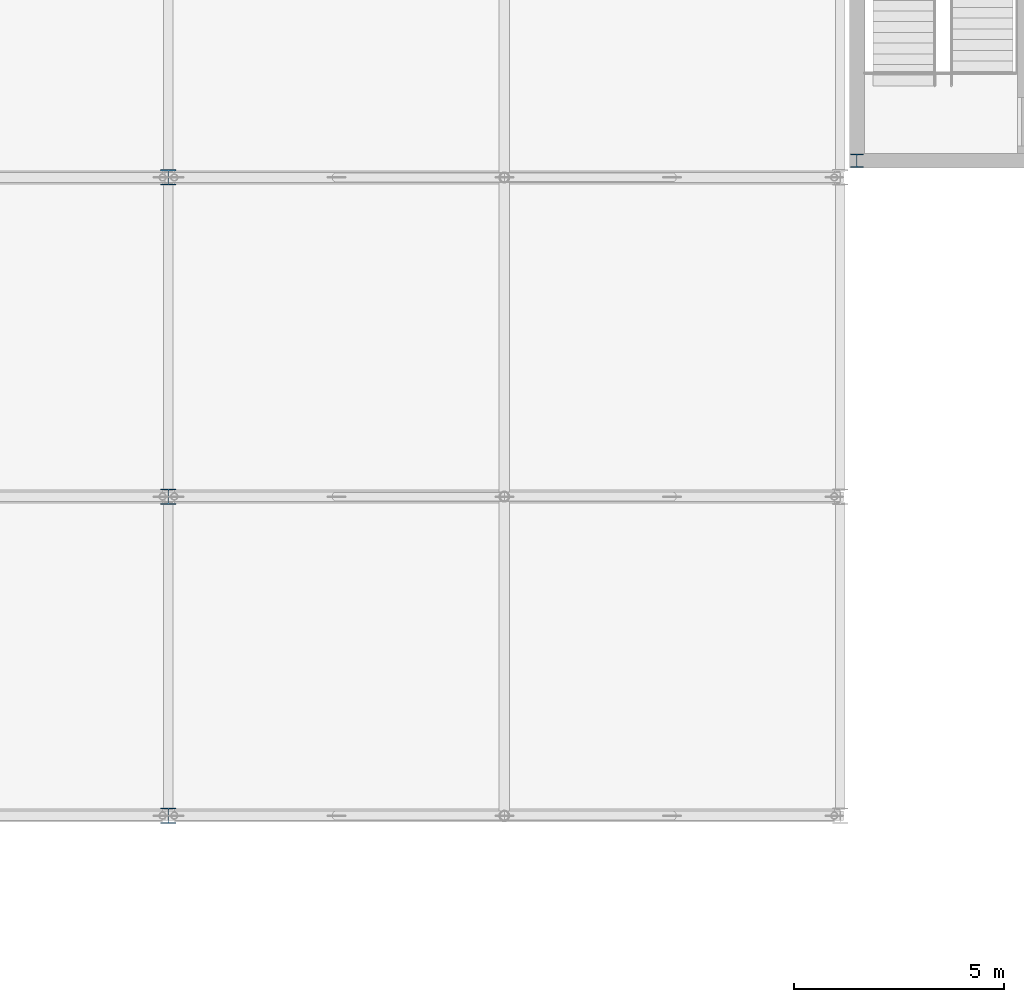
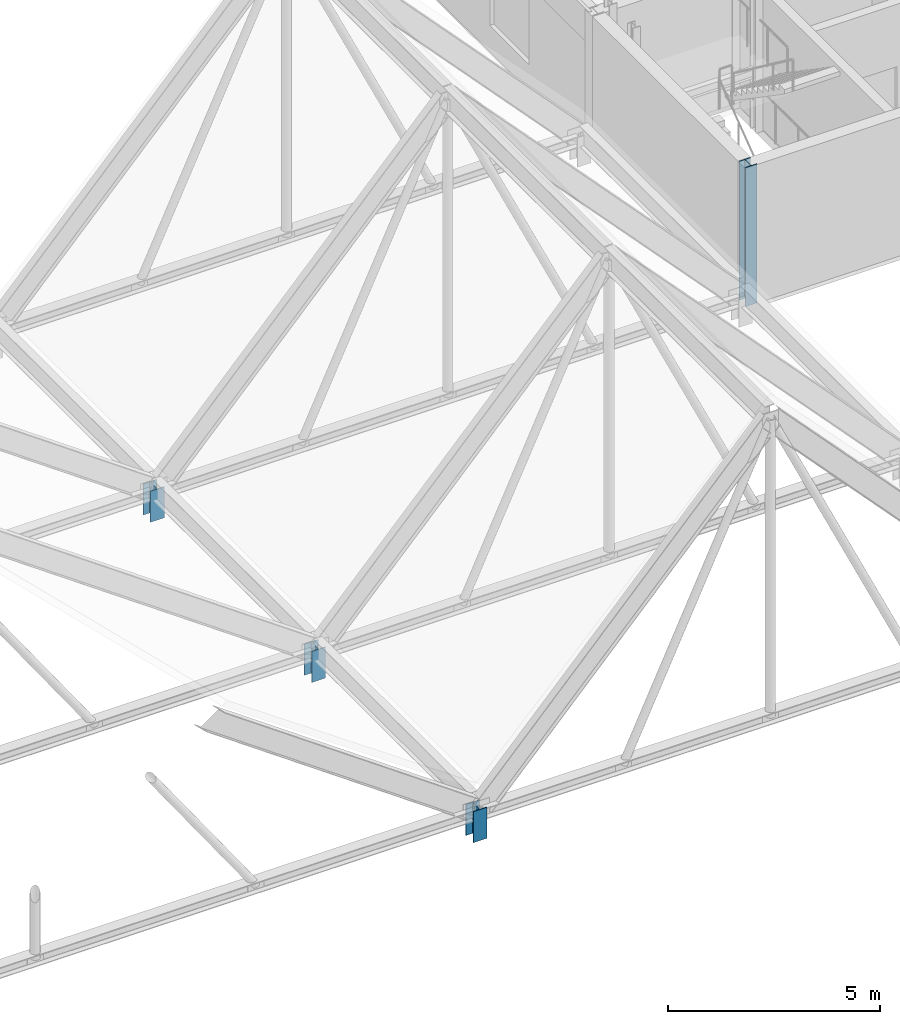
# One storey, part 7 of 85: 4 columns.
"""IFC4 building model written with IfcOpenShell, lengths in metres."""

from ifc_helpers import new_model, si_unit, direction, frame, origin, origin_2d, place, context, subcontext, project, spatial, i_section, extrude, material, material_profile, profile_set, type_object, element, save


model = new_model("IFC4")

# Units and contexts
model_context = context("Model", 3, precision=1e-05, world=origin(), true_north=direction((0.0, 1.0)))
body_context = subcontext(model_context, "Body", "Model", "MODEL_VIEW")
ifc_project = project(units=[si_unit("LENGTHUNIT", "METRE"), si_unit("AREAUNIT", "SQUARE_METRE"), si_unit("VOLUMEUNIT", "CUBIC_METRE"), si_unit("PLANEANGLEUNIT", "RADIAN"), si_unit("MASSUNIT", "GRAM", prefix="KILO")], contexts=[model_context])

# Site, building, storey
site_placement = place(None, origin())
site = spatial("IfcSite", under=ifc_project, at=site_placement, CompositionType="ELEMENT")
building_placement = place(site_placement, origin())
building = spatial("IfcBuilding", under=site, at=building_placement, Name="Zulena Civic Courthouse", CompositionType="ELEMENT")
storey_placement = place(building_placement, frame((0.0, 0.0, 25.199951171875)))
storey = spatial("IfcBuildingStorey", under=building, at=storey_placement, Name="L05", CompositionType="ELEMENT", Elevation=25.199951171875)

# Columns
ifc_material = material(Name="Steel ASTM A992 Grade 50", Category="steel")
ifc_material_profile_1 = material_profile(ifc_material, i_section(OverallWidth=0.30908203125, OverallDepth=0.322998046875, WebThickness=0.013916015625, FlangeThickness=0.02294921875, FilletRadius=0.01513671875, at=origin_2d()), Name="W12X96")
ifc_profile_set_1 = profile_set([ifc_material_profile_1], Name="Steel ASTM A992 Grade 50")
column_type_1 = type_object("IfcColumnType", Name="Col_W12X96", PredefinedType="COLUMN", material=ifc_profile_set_1)
column_placement = place(storey_placement, frame((124.39990234375, 30.800048828125, 0.0), z_axis=(0.0, 0.0, 1.0), x_axis=(1.0, 0.0, 0.0)))
element("IfcColumn", 1, at=column_placement, inside=storey, type_object=column_type_1, Name="col:V3:L05:124.4:30.8", PredefinedType="COLUMN", context=body_context, shape_type="SweptSolid", body=[
    extrude(i_section(OverallWidth=0.30908203125, OverallDepth=0.322998046875, WebThickness=0.013916015625, FlangeThickness=0.02294921875, FilletRadius=0.01513671875, at=origin_2d()), origin(), (0.0, 0.0, 1.0), 3.9951171875),
])
ifc_material_profile_2 = material_profile(ifc_material, i_section(OverallWidth=0.373046875, OverallDepth=0.367919921875, WebThickness=0.014892578125, FlangeThickness=0.02392578125, FilletRadius=0.01513671875, at=origin_2d()), Name="W14X120")
ifc_profile_set_2 = profile_set([ifc_material_profile_2], Name="Steel ASTM A992 Grade 50")
column_type_2 = type_object("IfcColumnType", Name="Col_W14X120", PredefinedType="COLUMN", material=ifc_profile_set_2)
for number, where, z_axis, x_axis, name in (
    (2, (108.0, 15.199951171875, -0.195068359375), (0.0, 0.0, 1.0), (1.0, 0.0, 0.0), "col:foldV:L05:108.0:15.2"),
    (3, (108.0, 22.800048828125, -0.195068359375), (0.0, 0.0, 1.0), (1.0, 0.0, 0.0), "col:foldV:L05:108.0:22.8"),
    (4, (108.0, 30.39990234375, -0.195068359375), (0.0, 0.0, 1.0), (1.0, 0.0, 0.0), "col:foldV:L05:108.0:30.4"),
):
    element("IfcColumn", number, at=place(storey_placement, frame(where, z_axis=z_axis, x_axis=x_axis)), inside=storey, type_object=column_type_2, Name=name, PredefinedType="COLUMN", context=body_context, shape_type="SweptSolid", body=[
        extrude(i_section(OverallWidth=0.373046875, OverallDepth=0.367919921875, WebThickness=0.014892578125, FlangeThickness=0.02392578125, FilletRadius=0.01513671875, at=origin_2d()), origin(), (0.0, 0.0, 1.0), 0.8916015625),
    ])

save(model, "model.ifc")
